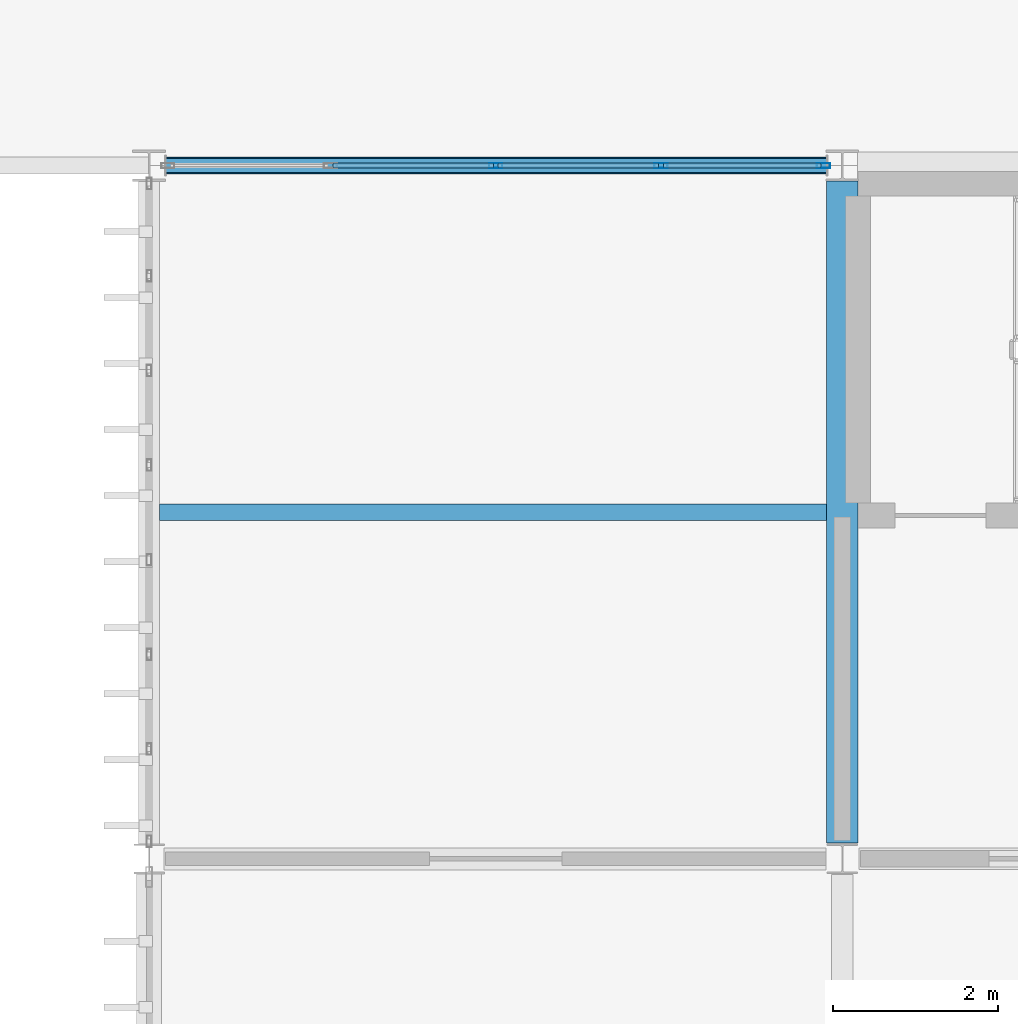
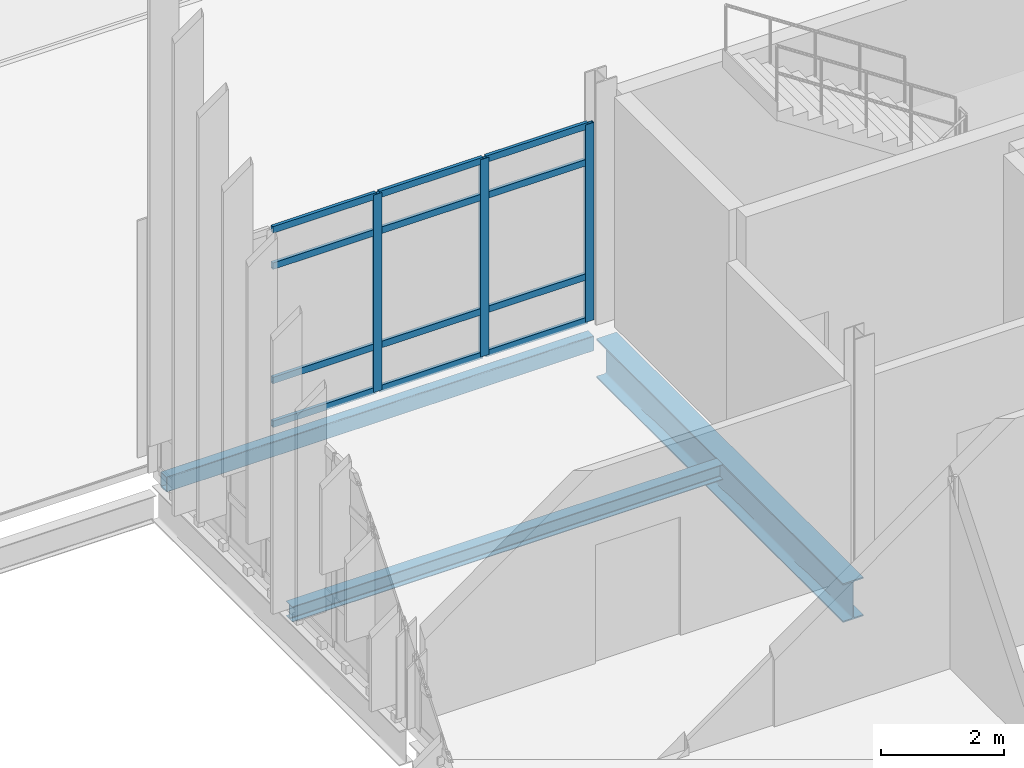
# One storey, part 26 of 153: 15 members, 3 beams, 1 element without a shape of its own.
"""IFC4 building model written with IfcOpenShell, lengths in metres."""

import ifcopenshell
import ifcopenshell.guid

model = None  # the IFC model being written
_history = None  # IfcOwnerHistory: only IFC2X3 demands one
_inside = {}  # id of a spatial element -> (the spatial element, [elements in it])
_under = {}  # id of a project, library or spatial element -> (it, [spatial elements below it])
_declared = {}  # id of a project -> (the project, [libraries it declares])
_typed = {}  # id of a type object -> (the type object, [elements of that type])
_made_of = {}  # id of a material, layer set ... -> (it, [elements and type objects made of it])


def new_model(schema):
    """Start an empty IFC model of exactly this schema.

    Asked for "IFC4X3", IfcOpenShell would pick the latest addendum, in which some entities
    have other attributes; the version numbers below select the first issue.
    IFC2X3 requires an IfcOwnerHistory on every rooted entity: one is made here for all.
    """
    global model, _history
    if schema == "IFC4X3":
        model = ifcopenshell.file(schema_version=(4, 3, 0, 0))
    else:
        model = ifcopenshell.file(schema=schema)
    _inside.clear()
    _under.clear()
    _declared.clear()
    _typed.clear()
    _made_of.clear()
    _history = None
    if model.schema == "IFC2X3":
        org = make("IfcOrganization", Name="unknown")
        user = make(
            "IfcPersonAndOrganization",
            ThePerson=make("IfcPerson", FamilyName="unknown"),
            TheOrganization=org,
        )
        app = make(
            "IfcApplication",
            ApplicationDeveloper=org,
            Version="unknown",
            ApplicationFullName="unknown",
            ApplicationIdentifier="unknown",
        )
        _history = make(
            "IfcOwnerHistory",
            OwningUser=user,
            OwningApplication=app,
            ChangeAction="ADDED",
            CreationDate=0,
        )
    return model


def make(cls, **values):
    """One entity of the class cls with the attributes given. An attribute that is None is left unset."""
    return model.create_entity(
        cls, **{name: value for name, value in values.items() if value is not None}
    )


def rooted(cls, **values):
    """An entity with a GlobalId (a new one), such as an element, a storey or a relation."""
    return make(cls, GlobalId=ifcopenshell.guid.new(), OwnerHistory=_history, **values)


def si_unit(unit_type, name, prefix=None):
    """IfcSIUnit, for example si_unit("LENGTHUNIT", "METRE", prefix="MILLI")."""
    return make("IfcSIUnit", UnitType=unit_type, Prefix=prefix, Name=name)


def assignment(units):
    """IfcUnitAssignment: the units of a project."""
    return None if units is None else make("IfcUnitAssignment", Units=units)


def point(xyz):
    """IfcCartesianPoint."""
    return None if xyz is None else make("IfcCartesianPoint", Coordinates=xyz)


def direction(xyz):
    """IfcDirection."""
    return None if xyz is None else make("IfcDirection", DirectionRatios=xyz)


def frame(location, z_axis=None, x_axis=None):
    """IfcAxis2Placement3D, a coordinate frame: its origin and axes. An axis left out is left unset."""
    return make(
        "IfcAxis2Placement3D",
        Location=point(location),
        Axis=direction(z_axis),
        RefDirection=direction(x_axis),
    )


def frame_2d(location, x_axis=None):
    """IfcAxis2Placement2D, a coordinate frame in the plane: its origin and x axis."""
    return make(
        "IfcAxis2Placement2D", Location=point(location), RefDirection=direction(x_axis)
    )


def origin():
    """The frame at (0, 0, 0) with its axes left unset."""
    return frame((0.0, 0.0, 0.0))


def origin_2d():
    """The frame at (0, 0) in the plane with its x axis left unset."""
    return frame_2d((0.0, 0.0))


def place(relative_to, where):
    """IfcLocalPlacement: puts the frame where relative to a parent placement (None: the world)."""
    return make(
        "IfcLocalPlacement", PlacementRelTo=relative_to, RelativePlacement=where
    )


def context(
    kind, dimensions, precision=None, world=None, true_north=None, identifier=None
):
    """IfcGeometricRepresentationContext, for example the 3D "Model" context."""
    return make(
        "IfcGeometricRepresentationContext",
        ContextIdentifier=identifier,
        ContextType=kind,
        CoordinateSpaceDimension=dimensions,
        Precision=precision,
        WorldCoordinateSystem=world,
        TrueNorth=true_north,
    )


def subcontext(parent, identifier, kind, view, scale=None):
    """IfcGeometricRepresentationSubContext, for example "Body" below "Model"."""
    return make(
        "IfcGeometricRepresentationSubContext",
        ContextIdentifier=identifier,
        ContextType=kind,
        ParentContext=parent,
        TargetScale=scale,
        TargetView=view,
    )


def project(units=None, contexts=None):
    """IfcProject with its units and contexts."""
    return rooted(
        "IfcProject",
        Name="project",
        RepresentationContexts=contexts,
        UnitsInContext=assignment(units),
    )


def spatial(cls, under=None, at=None, **own):
    """A site, building, storey or space (cls), placed at a placement, below another one or the project."""
    s = rooted(cls, ObjectPlacement=at, **own)
    if under is not None:
        _under.setdefault(under.id(), (under, []))[1].append(s)
    return s


def profile(cls, at=None, kind="AREA", **sizes):
    """A parametric profile (cls). Its sizes go by their IFC names, for example OverallWidth=200.0."""
    return make(cls, ProfileType=kind, Position=at, **sizes)


def hollow_rectangle(**sizes):
    """IfcRectangleHollowProfileDef."""
    return profile("IfcRectangleHollowProfileDef", **sizes)


def i_section(**sizes):
    """IfcIShapeProfileDef."""
    return profile("IfcIShapeProfileDef", **sizes)


def extrude(swept, where, along, depth):
    """IfcExtrudedAreaSolid: the profile swept, set in the frame where, extruded along a direction by depth."""
    return make(
        "IfcExtrudedAreaSolid",
        SweptArea=swept,
        Position=where,
        ExtrudedDirection=direction(along),
        Depth=depth,
    )


def shape(context_of_items, identifier, shape_type, items):
    """IfcShapeRepresentation: the items that make up one representation, for example the "Body"."""
    return make(
        "IfcShapeRepresentation",
        ContextOfItems=context_of_items,
        RepresentationIdentifier=identifier,
        RepresentationType=shape_type,
        Items=items,
    )


def material(Name=None, Category=None):
    """IfcMaterial."""
    return make("IfcMaterial", Name=Name, Category=Category)


def layer(
    of_material, thickness, ventilated=None, Name=None, Category=None, Priority=None
):
    """IfcMaterialLayer: one layer of a wall or slab, of a material (None: an air gap)."""
    return make(
        "IfcMaterialLayer",
        Material=of_material,
        LayerThickness=thickness,
        IsVentilated=ventilated,
        Name=Name,
        Category=Category,
        Priority=Priority,
    )


def layer_set(layers, Name=None):
    """IfcMaterialLayerSet."""
    return make("IfcMaterialLayerSet", MaterialLayers=layers, LayerSetName=Name)


def material_profile(
    of_material, cross_section, Name=None, Category=None, Priority=None
):
    """IfcMaterialProfile: a cross section and its material."""
    return make(
        "IfcMaterialProfile",
        Name=Name,
        Material=of_material,
        Profile=cross_section,
        Priority=Priority,
        Category=Category,
    )


def profile_set(profiles, Name=None, composite=None):
    """IfcMaterialProfileSet."""
    return make(
        "IfcMaterialProfileSet",
        Name=Name,
        MaterialProfiles=profiles,
        CompositeProfile=composite,
    )


def made_of(thing, what):
    """Note that an element or type object is made of a material, layer set ...; save() writes the relation."""
    if what is not None:
        _made_of.setdefault(what.id(), (what, []))[1].append(thing)
    return thing


def type_object(cls, material=None, **own):
    """A type object (cls), such as IfcWallType, which elements share."""
    return made_of(rooted(cls, **own), material)


def element(
    cls,
    number,
    at=None,
    inside=None,
    cuts=None,
    type_object=None,
    material=None,
    context=None,
    identifier="Body",
    shape_type=None,
    held_by="IfcProductDefinitionShape",
    body=None,
    shapes=None,
    **own,
):
    """One element of the class cls, such as IfcWall. Its Tag is "e" and its number.

    at: its placement. inside: the storey or other place that contains it. cuts: it is an
    opening in that element (IfcRelVoidsElement). A single representation is given by context,
    identifier, shape_type and body (its items); several are given by shapes. held_by: the class
    of the entity that holds the representations. save() writes the other relations.
    """
    e = rooted(cls, Tag="e%d" % number, ObjectPlacement=at, **own)
    if body is not None:
        shapes = [shape(context, identifier, shape_type, body)]
    if shapes is not None:
        e.Representation = make(held_by, Representations=shapes)
    if inside is not None:
        _inside.setdefault(inside.id(), (inside, []))[1].append(e)
    if cuts is not None:
        rooted(
            "IfcRelVoidsElement", RelatingBuildingElement=cuts, RelatedOpeningElement=e
        )
    if type_object is not None:
        _typed.setdefault(type_object.id(), (type_object, []))[1].append(e)
    return made_of(e, material)


def aggregate(whole, parts):
    """IfcRelAggregates: a whole, such as a stair, and the parts it consists of."""
    return rooted("IfcRelAggregates", RelatingObject=whole, RelatedObjects=parts)


def save(model, path):
    """Write the relations noted so far, then the file.

    IfcRelAggregates (storeys below a building ...), IfcRelContainedInSpatialStructure (elements
    in a storey), IfcRelDefinesByType, IfcRelAssociatesMaterial and IfcRelDeclares: one each for
    every whole, place, type object, material and project.
    """
    for whole, parts in _under.values():
        aggregate(whole, parts)
    for where, things in _inside.values():
        rooted(
            "IfcRelContainedInSpatialStructure",
            RelatedElements=things,
            RelatingStructure=where,
        )
    for kind, things in _typed.values():
        rooted("IfcRelDefinesByType", RelatedObjects=things, RelatingType=kind)
    for what, things in _made_of.values():
        rooted("IfcRelAssociatesMaterial", RelatedObjects=things, RelatingMaterial=what)
    for by, libraries in _declared.values():
        rooted("IfcRelDeclares", RelatingContext=by, RelatedDefinitions=libraries)
    model.write(path)


model = new_model("IFC4")

# Units and contexts
model_context = context("Model", 3, precision=1e-05, world=origin(), true_north=direction((0.0, 1.0)))
body_context = subcontext(model_context, "Body", "Model", "MODEL_VIEW")
ifc_project = project(units=[si_unit("LENGTHUNIT", "METRE"), si_unit("AREAUNIT", "SQUARE_METRE"), si_unit("VOLUMEUNIT", "CUBIC_METRE"), si_unit("PLANEANGLEUNIT", "RADIAN"), si_unit("MASSUNIT", "GRAM", prefix="KILO")], contexts=[model_context])

# Site, building, storey
site_placement = place(None, origin())
site = spatial("IfcSite", under=ifc_project, at=site_placement, CompositionType="ELEMENT")
building_placement = place(site_placement, origin())
building = spatial("IfcBuilding", under=site, at=building_placement, Name="Calvrana Isthmian Art Gallery", CompositionType="ELEMENT")
storey_placement = place(building_placement, frame((0.0, 0.0, 10.199951171875)))
storey = spatial("IfcBuildingStorey", under=building, at=storey_placement, Name="L02", CompositionType="ELEMENT", Elevation=10.199951171875)

# Beams
ifc_material_1 = material(Name="Steel ASTM A992 Gr 50", Category="steel")
ifc_material_profile_1 = material_profile(ifc_material_1, i_section(OverallWidth=0.381103515625, OverallDepth=0.77197265625, WebThickness=0.0166015625, FlangeThickness=0.027099609375, FilletRadius=0.02490234375, at=origin_2d()), Name="W30X173")
ifc_profile_set_1 = profile_set([ifc_material_profile_1], Name="Steel ASTM A992 Gr 50")
beam_type_1 = type_object("IfcBeamType", Name="BM-G-W30X173", PredefinedType="BEAM", material=ifc_profile_set_1)
beam_1_placement = place(storey_placement, frame((30.0, 38.593017578125, -0.65087890625), z_axis=(0.0, 1.0, 0.0), x_axis=(-1.0, 0.0, 0.0)))
element("IfcBeam", 1, at=beam_1_placement, inside=storey, type_object=beam_type_1, Name="Girder Y L02 05/F-G", PredefinedType="BEAM", context=body_context, shape_type="SweptSolid", body=[
    extrude(i_section(OverallWidth=0.381103515625, OverallDepth=0.77197265625, WebThickness=0.0166015625, FlangeThickness=0.027099609375, FilletRadius=0.02490234375, at=origin_2d()), origin(), (0.0, 0.0, 1.0), 8.0205078125),
])
ifc_material_profile_2 = material_profile(ifc_material_1, i_section(OverallWidth=0.202880859375, OverallDepth=0.302001953125, WebThickness=0.007568359375, FlangeThickness=0.01318359375, FilletRadius=0.01611328125, at=origin_2d()), Name="W12X40")
ifc_profile_set_2 = profile_set([ifc_material_profile_2], Name="Steel ASTM A992 Gr 50")
beam_type_2 = type_object("IfcBeamType", Name="BM-J-W12X40", PredefinedType="JOIST", material=ifc_profile_set_2)
beam_2_placement = place(storey_placement, frame((21.728515625, 42.60009765625, -0.416015625), z_axis=(1.0, 0.0, 0.0), x_axis=(0.0, 1.0, 0.0)))
element("IfcBeam", 2, at=beam_2_placement, inside=storey, type_object=beam_type_2, Name="Composite joist L02 bay 03-05", PredefinedType="JOIST", context=body_context, shape_type="SweptSolid", body=[
    extrude(i_section(OverallWidth=0.202880859375, OverallDepth=0.302001953125, WebThickness=0.007568359375, FlangeThickness=0.01318359375, FilletRadius=0.01611328125, at=origin_2d()), origin(), (0.0, 0.0, 1.0), 8.0810546875),
])
ifc_material_2 = material(Name="Steel ASTM A500 Gr C", Category="steel")
ifc_material_profile_3 = material_profile(ifc_material_2, hollow_rectangle(XDim=0.203125, YDim=0.3046875, WallThickness=0.0126953125, OuterFilletRadius=0.02490234375, at=origin_2d()), Name="HSS305X203X12.7")
ifc_profile_set_3 = profile_set([ifc_material_profile_3], Name="Steel ASTM A500 Gr C")
beam_type_3 = type_object("IfcBeamType", Name="BM-SP-HSS305", PredefinedType="SPANDREL", material=ifc_profile_set_3)
beam_3_placement = place(storey_placement, frame((21.797119140625, 46.800048828125, -0.417236328125), z_axis=(1.0, 0.0, 0.0), x_axis=(0.0, 1.0, 0.0)))
element("IfcBeam", 3, at=beam_3_placement, inside=storey, type_object=beam_type_3, Name="Girder X L02 04-05/G", PredefinedType="SPANDREL", context=body_context, shape_type="SweptSolid", body=[
    extrude(hollow_rectangle(XDim=0.203125, YDim=0.3046875, WallThickness=0.0126953125, OuterFilletRadius=0.02490234375, at=origin_2d()), origin(), (0.0, 0.0, 1.0), 8.016357421875),
])

# Curtain wall, members
ifc_material_3 = material(Name="Anodized bronze aluminium 6063-T6", Category="aluminium")
ifc_layer = layer(ifc_material_3, 0.179931640625, Name="Anodized bronze aluminium 6063-T6")
ifc_layer_set = layer_set([ifc_layer], Name="Anodized bronze aluminium 6063-T6")
curtain_wall_type = type_object("IfcCurtainWallType", Name="CW-STICK-080X39", PredefinedType="NOTDEFINED", material=ifc_layer_set)
curtain_wall_placement = place(storey_placement, origin())
curtain_wall = element("IfcCurtainWall", 4, at=curtain_wall_placement, inside=storey, type_object=curtain_wall_type, Name="Curtain wall CW-151", PredefinedType="NOTDEFINED")
ifc_material_profile_4 = material_profile(ifc_material_3, hollow_rectangle(XDim=0.06005859375, YDim=0.159912109375, WallThickness=0.00390625, at=origin_2d()), Name="CWM60X160")
ifc_profile_set_4 = profile_set([ifc_material_profile_4], Name="Anodized bronze aluminium 6063-T6")
member_type_1 = type_object("IfcMemberType", Name="CWM-CWM60X160", PredefinedType="MULLION", material=ifc_profile_set_4)
member_1_placement = place(storey_placement, frame((25.800537109375, 46.800048828125, 0.0), z_axis=(0.0, 0.0, 1.0), x_axis=(0.0, 1.0, 0.0)))
member_1 = element("IfcMember", 5, at=member_1_placement, type_object=member_type_1, Name="CW-151 mullion 3", PredefinedType="MULLION", context=body_context, shape_type="SweptSolid", body=[
    extrude(hollow_rectangle(XDim=0.06005859375, YDim=0.159912109375, WallThickness=0.00390625, at=origin_2d()), origin(), (0.0, 0.0, 1.0), 3.91796875),
])
member_2_placement = place(storey_placement, frame((27.8017578125, 46.800048828125, 0.0), z_axis=(0.0, 0.0, 1.0), x_axis=(0.0, 1.0, 0.0)))
member_2 = element("IfcMember", 6, at=member_2_placement, type_object=member_type_1, Name="CW-151 mullion 4", PredefinedType="MULLION", context=body_context, shape_type="SweptSolid", body=[
    extrude(hollow_rectangle(XDim=0.06005859375, YDim=0.159912109375, WallThickness=0.00390625, at=origin_2d()), origin(), (0.0, 0.0, 1.0), 3.91796875),
])
member_3_placement = place(storey_placement, frame((29.77294921875, 46.800048828125, 0.0), z_axis=(0.0, 0.0, 1.0), x_axis=(0.0, 1.0, 0.0)))
member_3 = element("IfcMember", 7, at=member_3_placement, type_object=member_type_1, Name="CW-151 mullion 5", PredefinedType="MULLION", context=body_context, shape_type="SweptSolid", body=[
    extrude(hollow_rectangle(XDim=0.06005859375, YDim=0.159912109375, WallThickness=0.00390625, at=origin_2d()), origin(), (0.0, 0.0, 1.0), 3.91796875),
])
ifc_material_profile_5 = material_profile(ifc_material_3, hollow_rectangle(XDim=0.06005859375, YDim=0.1298828125, WallThickness=0.00390625, at=origin_2d()), Name="CWT60X130")
ifc_profile_set_5 = profile_set([ifc_material_profile_5], Name="Anodized bronze aluminium 6063-T6")
member_type_2 = type_object("IfcMemberType", Name="CWT-CWT60X130", PredefinedType="USERDEFINED", material=ifc_profile_set_5)
member_4_placement = place(storey_placement, frame((23.829345703125, 46.800048828125, 0.030029296875), z_axis=(1.0, 0.0, 0.0), x_axis=(0.0, 1.0, 0.0)))
member_4 = element("IfcMember", 8, at=member_4_placement, type_object=member_type_2, Name="CW-151 transom 2.1", ObjectType="TRANSOM", PredefinedType="USERDEFINED", context=body_context, shape_type="SweptSolid", body=[
    extrude(hollow_rectangle(XDim=0.06005859375, YDim=0.1298828125, WallThickness=0.00390625, at=origin_2d()), origin(), (0.0, 0.0, 1.0), 1.941162109375),
])
member_5_placement = place(storey_placement, frame((23.829345703125, 46.800048828125, 0.900146484375), z_axis=(1.0, 0.0, 0.0), x_axis=(0.0, 1.0, 0.0)))
member_5 = element("IfcMember", 9, at=member_5_placement, type_object=member_type_2, Name="CW-151 transom 2.2", ObjectType="TRANSOM", PredefinedType="USERDEFINED", context=body_context, shape_type="SweptSolid", body=[
    extrude(hollow_rectangle(XDim=0.06005859375, YDim=0.1298828125, WallThickness=0.00390625, at=origin_2d()), origin(), (0.0, 0.0, 1.0), 1.941162109375),
])
member_6_placement = place(storey_placement, frame((23.829345703125, 46.800048828125, 3.16796875), z_axis=(1.0, 0.0, 0.0), x_axis=(0.0, 1.0, 0.0)))
member_6 = element("IfcMember", 10, at=member_6_placement, type_object=member_type_2, Name="CW-151 transom 2.3", ObjectType="TRANSOM", PredefinedType="USERDEFINED", context=body_context, shape_type="SweptSolid", body=[
    extrude(hollow_rectangle(XDim=0.06005859375, YDim=0.1298828125, WallThickness=0.00390625, at=origin_2d()), origin(), (0.0, 0.0, 1.0), 1.941162109375),
])
member_7_placement = place(storey_placement, frame((23.829345703125, 46.800048828125, 3.887939453125), z_axis=(1.0, 0.0, 0.0), x_axis=(0.0, 1.0, 0.0)))
member_7 = element("IfcMember", 11, at=member_7_placement, type_object=member_type_2, Name="CW-151 transom 2.4", ObjectType="TRANSOM", PredefinedType="USERDEFINED", context=body_context, shape_type="SweptSolid", body=[
    extrude(hollow_rectangle(XDim=0.06005859375, YDim=0.1298828125, WallThickness=0.00390625, at=origin_2d()), origin(), (0.0, 0.0, 1.0), 1.941162109375),
])
member_8_placement = place(storey_placement, frame((25.83056640625, 46.800048828125, 0.030029296875), z_axis=(1.0, 0.0, 0.0), x_axis=(0.0, 1.0, 0.0)))
member_8 = element("IfcMember", 12, at=member_8_placement, type_object=member_type_2, Name="CW-151 transom 3.1", ObjectType="TRANSOM", PredefinedType="USERDEFINED", context=body_context, shape_type="SweptSolid", body=[
    extrude(hollow_rectangle(XDim=0.06005859375, YDim=0.1298828125, WallThickness=0.00390625, at=origin_2d()), origin(), (0.0, 0.0, 1.0), 1.941162109375),
])
member_9_placement = place(storey_placement, frame((25.83056640625, 46.800048828125, 0.900146484375), z_axis=(1.0, 0.0, 0.0), x_axis=(0.0, 1.0, 0.0)))
member_9 = element("IfcMember", 13, at=member_9_placement, type_object=member_type_2, Name="CW-151 transom 3.2", ObjectType="TRANSOM", PredefinedType="USERDEFINED", context=body_context, shape_type="SweptSolid", body=[
    extrude(hollow_rectangle(XDim=0.06005859375, YDim=0.1298828125, WallThickness=0.00390625, at=origin_2d()), origin(), (0.0, 0.0, 1.0), 1.941162109375),
])
member_10_placement = place(storey_placement, frame((25.83056640625, 46.800048828125, 3.16796875), z_axis=(1.0, 0.0, 0.0), x_axis=(0.0, 1.0, 0.0)))
member_10 = element("IfcMember", 14, at=member_10_placement, type_object=member_type_2, Name="CW-151 transom 3.3", ObjectType="TRANSOM", PredefinedType="USERDEFINED", context=body_context, shape_type="SweptSolid", body=[
    extrude(hollow_rectangle(XDim=0.06005859375, YDim=0.1298828125, WallThickness=0.00390625, at=origin_2d()), origin(), (0.0, 0.0, 1.0), 1.941162109375),
])
member_11_placement = place(storey_placement, frame((25.83056640625, 46.800048828125, 3.887939453125), z_axis=(1.0, 0.0, 0.0), x_axis=(0.0, 1.0, 0.0)))
member_11 = element("IfcMember", 15, at=member_11_placement, type_object=member_type_2, Name="CW-151 transom 3.4", ObjectType="TRANSOM", PredefinedType="USERDEFINED", context=body_context, shape_type="SweptSolid", body=[
    extrude(hollow_rectangle(XDim=0.06005859375, YDim=0.1298828125, WallThickness=0.00390625, at=origin_2d()), origin(), (0.0, 0.0, 1.0), 1.941162109375),
])
member_12_placement = place(storey_placement, frame((27.831787109375, 46.800048828125, 0.030029296875), z_axis=(1.0, 0.0, 0.0), x_axis=(0.0, 1.0, 0.0)))
member_12 = element("IfcMember", 16, at=member_12_placement, type_object=member_type_2, Name="CW-151 transom 4.1", ObjectType="TRANSOM", PredefinedType="USERDEFINED", context=body_context, shape_type="SweptSolid", body=[
    extrude(hollow_rectangle(XDim=0.06005859375, YDim=0.1298828125, WallThickness=0.00390625, at=origin_2d()), origin(), (0.0, 0.0, 1.0), 1.9111328125),
])
member_13_placement = place(storey_placement, frame((27.831787109375, 46.800048828125, 0.900146484375), z_axis=(1.0, 0.0, 0.0), x_axis=(0.0, 1.0, 0.0)))
member_13 = element("IfcMember", 17, at=member_13_placement, type_object=member_type_2, Name="CW-151 transom 4.2", ObjectType="TRANSOM", PredefinedType="USERDEFINED", context=body_context, shape_type="SweptSolid", body=[
    extrude(hollow_rectangle(XDim=0.06005859375, YDim=0.1298828125, WallThickness=0.00390625, at=origin_2d()), origin(), (0.0, 0.0, 1.0), 1.9111328125),
])
member_14_placement = place(storey_placement, frame((27.831787109375, 46.800048828125, 3.16796875), z_axis=(1.0, 0.0, 0.0), x_axis=(0.0, 1.0, 0.0)))
member_14 = element("IfcMember", 18, at=member_14_placement, type_object=member_type_2, Name="CW-151 transom 4.3", ObjectType="TRANSOM", PredefinedType="USERDEFINED", context=body_context, shape_type="SweptSolid", body=[
    extrude(hollow_rectangle(XDim=0.06005859375, YDim=0.1298828125, WallThickness=0.00390625, at=origin_2d()), origin(), (0.0, 0.0, 1.0), 1.9111328125),
])
member_15_placement = place(storey_placement, frame((27.831787109375, 46.800048828125, 3.887939453125), z_axis=(1.0, 0.0, 0.0), x_axis=(0.0, 1.0, 0.0)))
member_15 = element("IfcMember", 19, at=member_15_placement, type_object=member_type_2, Name="CW-151 transom 4.4", ObjectType="TRANSOM", PredefinedType="USERDEFINED", context=body_context, shape_type="SweptSolid", body=[
    extrude(hollow_rectangle(XDim=0.06005859375, YDim=0.1298828125, WallThickness=0.00390625, at=origin_2d()), origin(), (0.0, 0.0, 1.0), 1.9111328125),
])
aggregate(curtain_wall, [member_1, member_2, member_3, member_4, member_5, member_6, member_7, member_8, member_9, member_10, member_11, member_12, member_13, member_14, member_15])

save(model, "model.ifc")
